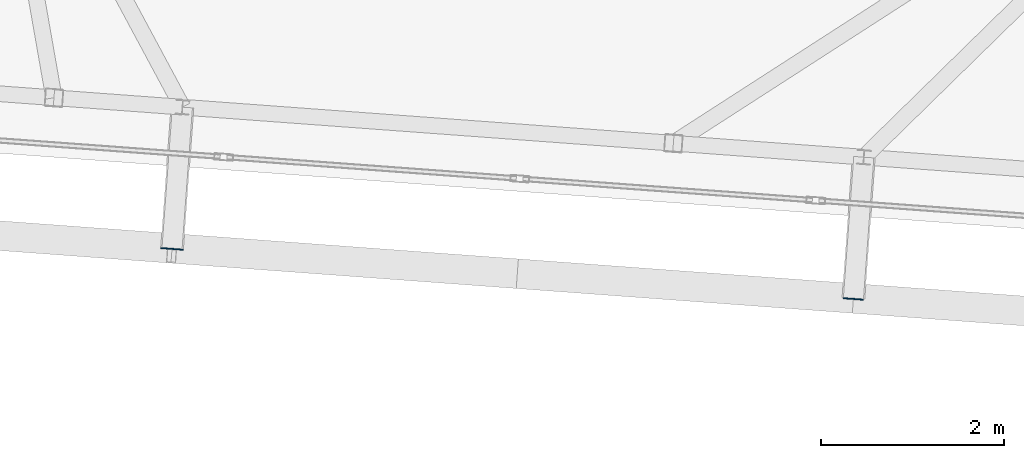
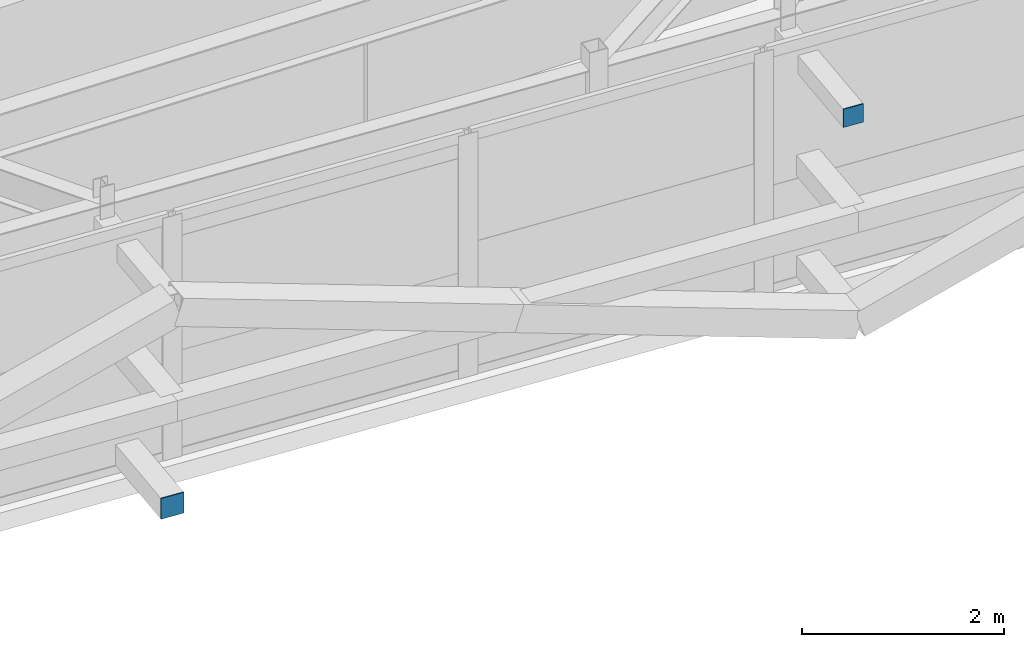
# One storey, part 32 of 42: 2 plates.
"""IFC4 building model written with IfcOpenShell, lengths in metres."""

from ifc_helpers import new_model, si_unit, direction, frame, origin, origin_2d, place, context, subcontext, project, spatial, rectangle, extrude, source, transform, mapped, material, layer, layer_set, type_object, element, save


model = new_model("IFC4")

# Units and contexts
model_context = context("Model", 3, precision=1e-05, world=origin(), true_north=direction((0.0, 1.0)))
body_context = subcontext(model_context, "Body", "Model", "MODEL_VIEW")
ifc_project = project(units=[si_unit("LENGTHUNIT", "METRE"), si_unit("AREAUNIT", "SQUARE_METRE"), si_unit("VOLUMEUNIT", "CUBIC_METRE"), si_unit("PLANEANGLEUNIT", "RADIAN"), si_unit("MASSUNIT", "GRAM", prefix="KILO")], contexts=[model_context])

# Site, building, storey
site_placement = place(None, origin())
site = spatial("IfcSite", under=ifc_project, at=site_placement, CompositionType="ELEMENT")
building_placement = place(site_placement, origin())
building = spatial("IfcBuilding", under=site, at=building_placement, Name="Taldren Reach Tower", CompositionType="ELEMENT")
storey_placement = place(building_placement, frame((0.0, 0.0, 214.550048828125)))
storey = spatial("IfcBuildingStorey", under=building, at=storey_placement, Name="L65", CompositionType="ELEMENT", Elevation=214.550048828125)

# Plates
ifc_material_1 = material(Name="Steel Gr 350 (C350L0)", Category="steel")
ifc_layer_1 = layer(ifc_material_1, 0.011962890625)
ifc_layer_set_1 = layer_set([ifc_layer_1], Name="Steel Gr 350 (C350L0)")
plate_type_1 = type_object("IfcPlateType", Name="PL-CAP-250", PredefinedType="SHEET", material=ifc_layer_set_1)
shared_shape_1 = source(origin(), body_context, "Body", "SweptSolid", [
    extrude(rectangle(XDim=0.25, YDim=0.011962890625, at=origin_2d()), origin(), (0.0, 0.0, 1.0), 0.25),
])
plate_1_placement = place(storey_placement, frame((29.946533203125, 3.812744140625, 0.094970703125), z_axis=(0.0, 0.0, 1.0), x_axis=(0.997314477224, -0.073238197128, 0.0)))
element("IfcPlate", 1, at=plate_1_placement, inside=storey, type_object=plate_type_1, Name="Tie strut end cap plate B5-S3 L65", PredefinedType="SHEET", context=body_context, shape_type="MappedRepresentation", body=[
    mapped(shared_shape_1, transform((0.0, 0.0, 0.0), scale=1.0)),
])
ifc_material_2 = material(Name="Steel Gr 450 (C450L0)", Category="steel")
ifc_layer_2 = layer(ifc_material_2, 0.011962890625)
ifc_layer_set_2 = layer_set([ifc_layer_2], Name="Steel Gr 450 (C450L0)")
plate_type_2 = type_object("IfcPlateType", Name="PL-CAP-220", PredefinedType="SHEET", material=ifc_layer_set_2)
shared_shape_2 = source(origin(), body_context, "Body", "SweptSolid", [
    extrude(rectangle(XDim=0.219970703125, YDim=0.011962890625, at=origin_2d()), origin(), (0.0, 0.0, 1.0), 0.219970703125),
])
plate_2_placement = place(storey_placement, frame((37.406494140625, 3.264892578125, 2.5400390625), z_axis=(0.0, 0.0, 1.0), x_axis=(0.997314477224, -0.073238197128, 0.0)))
element("IfcPlate", 2, at=plate_2_placement, inside=storey, type_object=plate_type_2, Name="Tie strut end cap plate B5-S4 L65", PredefinedType="SHEET", context=body_context, shape_type="MappedRepresentation", body=[
    mapped(shared_shape_2, transform((0.0, 0.0, 0.0), scale=1.0)),
])

save(model, "model.ifc")
